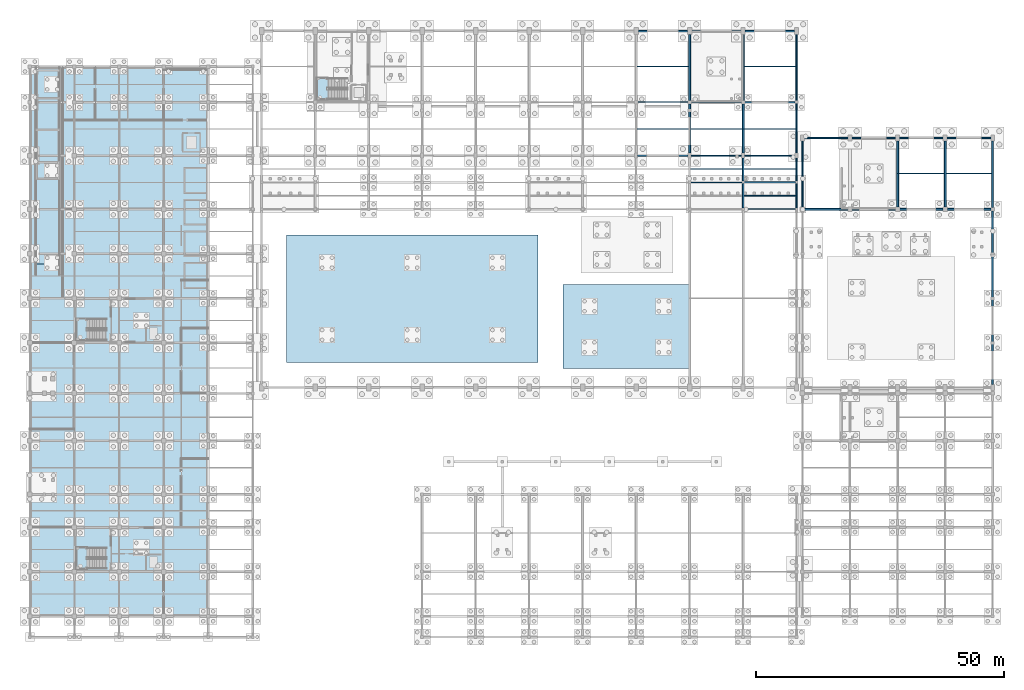
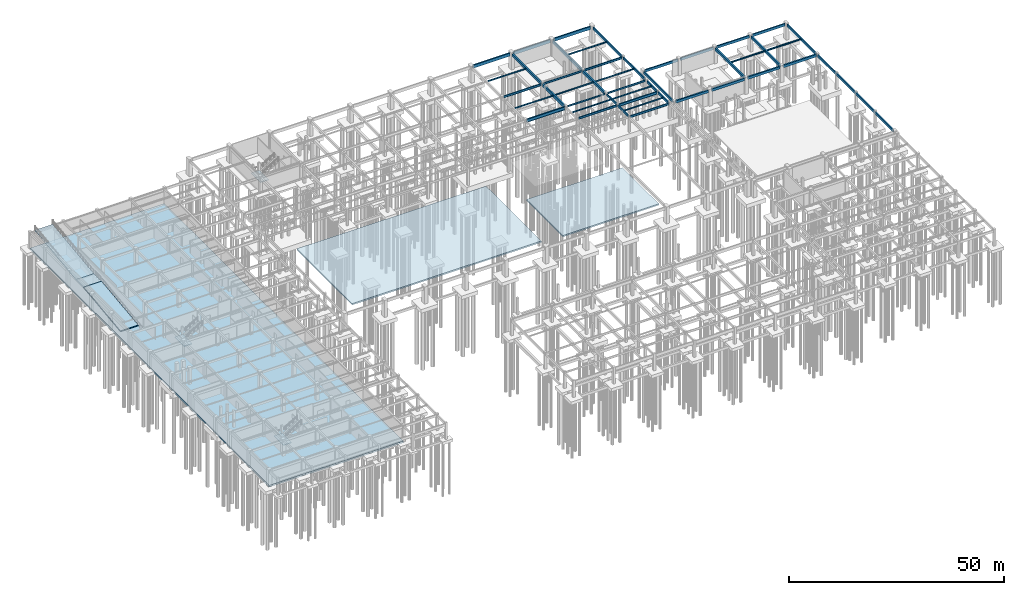
# One storey, part 20 of 33: 45 beams, 9 slabs, 3 elements without a shape of their own.
"""IFC4 building model written with IfcOpenShell, lengths in metres."""

from ifc_helpers import new_model, si_unit, direction, frame, origin, origin_2d, place, context, subcontext, project, spatial, polyline, rectangle, i_section, outline, extrude, material, layer, layer_set, material_profile, profile_set, type_object, element, aggregate, save


model = new_model("IFC4")

# Units and contexts
model_context = context("Model", 3, precision=1e-05, world=origin(), true_north=direction((0.0, 1.0)))
body_context = subcontext(model_context, "Body", "Model", "MODEL_VIEW")
ifc_project = project(units=[si_unit("LENGTHUNIT", "METRE"), si_unit("AREAUNIT", "SQUARE_METRE"), si_unit("VOLUMEUNIT", "CUBIC_METRE"), si_unit("PLANEANGLEUNIT", "RADIAN"), si_unit("MASSUNIT", "GRAM", prefix="KILO")], contexts=[model_context])

# Site, building, storey
site_placement = place(None, origin())
site = spatial("IfcSite", under=ifc_project, at=site_placement, CompositionType="ELEMENT")
building_placement = place(site_placement, origin())
building = spatial("IfcBuilding", under=site, at=building_placement, Name="Suirenkawa Promenade Aquatics Centre", CompositionType="ELEMENT")
storey_placement = place(building_placement, frame((0.0, 0.0, -4.800048828125)))
storey = spatial("IfcBuildingStorey", under=building, at=storey_placement, Name="B1", CompositionType="ELEMENT", Elevation=-4.800048828125)

# Beams
ifc_material_1 = material(Name="Steel IS 2062 E350 (Grade 350)", Category="steel")
ifc_material_profile_1 = material_profile(ifc_material_1, i_section(OverallWidth=0.139892578125, OverallDepth=0.35009765625, WebThickness=0.008056640625, FlangeThickness=0.013916015625, at=origin_2d()), Name="ISMB 350", Category="steel")
ifc_profile_set_1 = profile_set([ifc_material_profile_1], Name="Steel IS 2062 E350 (Grade 350)")
beam_type_1 = type_object("IfcBeamType", Name="BT-JOIST-ISMB350", PredefinedType="JOIST", material=ifc_profile_set_1)
beam_1_placement = place(storey_placement, frame((175.39404296875, 93.60009765625, 4.322998046875), z_axis=(1.0, 0.0, 0.0), x_axis=(0.0, 1.0, 0.0)))
element("IfcBeam", 1, at=beam_1_placement, inside=storey, type_object=beam_type_1, Name="Secondary floor joist JS-03 BM-1391", PredefinedType="JOIST", context=body_context, shape_type="SweptSolid", body=[
    extrude(i_section(OverallWidth=0.139892578125, OverallDepth=0.35009765625, WebThickness=0.008056640625, FlangeThickness=0.013916015625, at=origin_2d()), origin(), (0.0, 0.0, 1.0), 9.2119140625),
])
beam_2_placement = place(storey_placement, frame((184.993896484375, 93.60009765625, 4.322998046875), z_axis=(1.0, 0.0, 0.0), x_axis=(0.0, 1.0, 0.0)))
element("IfcBeam", 2, at=beam_2_placement, inside=storey, type_object=beam_type_1, Name="Secondary floor joist JS-03 BM-1392", PredefinedType="JOIST", context=body_context, shape_type="SweptSolid", body=[
    extrude(i_section(OverallWidth=0.139892578125, OverallDepth=0.35009765625, WebThickness=0.008056640625, FlangeThickness=0.013916015625, at=origin_2d()), origin(), (0.0, 0.0, 1.0), 9.26220703125),
])
ifc_material_profile_2 = material_profile(ifc_material_1, i_section(OverallWidth=0.139892578125, OverallDepth=0.39990234375, WebThickness=0.009033203125, FlangeThickness=0.01611328125, at=origin_2d()), Name="ISMB 400", Category="steel")
ifc_profile_set_2 = profile_set([ifc_material_profile_2], Name="Steel IS 2062 E350 (Grade 350)")
beam_type_2 = type_object("IfcBeamType", Name="BT-JOIST-ISMB400", PredefinedType="JOIST", material=ifc_profile_set_2)
for number, where, z_axis, x_axis, name in (
    (3, (122.593994140625, 102.60009765625, 4.298095703125), (1.0, 0.0, 0.0), (0.0, 1.0, 0.0), "Secondary floor joist JS-04 BM-1045"),
    (4, (122.593994140625, 115.199951171875, 4.298095703125), (1.0, 0.0, 0.0), (0.0, 1.0, 0.0), "Secondary floor joist JS-04 BM-1046"),
):
    element("IfcBeam", number, at=place(storey_placement, frame(where, z_axis=z_axis, x_axis=x_axis)), inside=storey, type_object=beam_type_2, Name=name, PredefinedType="JOIST", context=body_context, shape_type="SweptSolid", body=[
        extrude(i_section(OverallWidth=0.139892578125, OverallDepth=0.39990234375, WebThickness=0.009033203125, FlangeThickness=0.01611328125, at=origin_2d()), origin(), (0.0, 0.0, 1.0), 10.412109375),
    ])
beam_3_placement = place(storey_placement, frame((133.343994140625, 94.5, 4.298095703125), z_axis=(1.0, 0.0, 0.0), x_axis=(0.0, 1.0, 0.0)))
element("IfcBeam", 5, at=beam_3_placement, inside=storey, type_object=beam_type_2, Name="Secondary floor joist JS-04 BM-1049", PredefinedType="JOIST", context=body_context, shape_type="SweptSolid", body=[
    extrude(i_section(OverallWidth=0.139892578125, OverallDepth=0.39990234375, WebThickness=0.009033203125, FlangeThickness=0.01611328125, at=origin_2d()), origin(), (0.0, 0.0, 1.0), 10.511962890625),
])
beam_4_placement = place(storey_placement, frame((133.39404296875, 102.60009765625, 4.298095703125), z_axis=(1.0, 0.0, 0.0), x_axis=(0.0, 1.0, 0.0)))
element("IfcBeam", 6, at=beam_4_placement, inside=storey, type_object=beam_type_2, Name="Secondary floor joist JS-04 BM-1050", PredefinedType="JOIST", context=body_context, shape_type="SweptSolid", body=[
    extrude(i_section(OverallWidth=0.139892578125, OverallDepth=0.39990234375, WebThickness=0.009033203125, FlangeThickness=0.01611328125, at=origin_2d()), origin(), (0.0, 0.0, 1.0), 10.411865234375),
])
for number, where, z_axis, x_axis, name in (
    (7, (144.14404296875, 89.10009765625, 4.298095703125), (1.0, 0.0, 0.0), (0.0, 1.0, 0.0), "Secondary floor joist JS-04 BM-1052"),
    (8, (144.14404296875, 94.5, 4.298095703125), (1.0, 0.0, 0.0), (0.0, 1.0, 0.0), "Secondary floor joist JS-04 BM-1053"),
):
    element("IfcBeam", number, at=place(storey_placement, frame(where, z_axis=z_axis, x_axis=x_axis)), inside=storey, type_object=beam_type_2, Name=name, PredefinedType="JOIST", context=body_context, shape_type="SweptSolid", body=[
        extrude(i_section(OverallWidth=0.139892578125, OverallDepth=0.39990234375, WebThickness=0.009033203125, FlangeThickness=0.01611328125, at=origin_2d()), origin(), (0.0, 0.0, 1.0), 10.511962890625),
    ])
for number, where, z_axis, x_axis, name in (
    (9, (144.194091796875, 102.60009765625, 4.298095703125), (1.0, 0.0, 0.0), (0.0, 1.0, 0.0), "Secondary floor joist JS-04 BM-1054"),
    (10, (144.194091796875, 115.199951171875, 4.298095703125), (1.0, 0.0, 0.0), (0.0, 1.0, 0.0), "Secondary floor joist JS-04 BM-1055"),
):
    element("IfcBeam", number, at=place(storey_placement, frame(where, z_axis=z_axis, x_axis=x_axis)), inside=storey, type_object=beam_type_2, Name=name, PredefinedType="JOIST", context=body_context, shape_type="SweptSolid", body=[
        extrude(i_section(OverallWidth=0.139892578125, OverallDepth=0.39990234375, WebThickness=0.009033203125, FlangeThickness=0.01611328125, at=origin_2d()), origin(), (0.0, 0.0, 1.0), 10.4619140625),
    ])
ifc_material_2 = material(Name="Concrete M35", Category="concrete")
ifc_material_profile_3 = material_profile(ifc_material_2, rectangle(XDim=0.300048828125, YDim=0.550048828125, at=origin_2d()), Name="RC BM 300x550", Category="concrete")
ifc_profile_set_3 = profile_set([ifc_material_profile_3], Name="Concrete M35")
beam_type_3 = type_object("IfcBeamType", Name="BT-RC-300x550", PredefinedType="BEAM", material=ifc_profile_set_3)
beam_5_placement = place(storey_placement, frame((144.0, 86.64404296875, 4.22509765625), z_axis=(0.0, 1.0, 0.0), x_axis=(-1.0, 0.0, 0.0)))
element("IfcBeam", 11, at=beam_5_placement, inside=storey, type_object=beam_type_3, Name="Floor beam BM-01 BM-1007", PredefinedType="BEAM", context=body_context, shape_type="SweptSolid", body=[
    extrude(rectangle(XDim=0.300048828125, YDim=0.550048828125, at=origin_2d()), origin(), (0.0, 0.0, 1.0), 4.911865234375),
])
beam_6_placement = place(storey_placement, frame((144.0, 92.0439453125, 4.22509765625), z_axis=(0.0, 1.0, 0.0), x_axis=(-1.0, 0.0, 0.0)))
element("IfcBeam", 12, at=beam_6_placement, inside=storey, type_object=beam_type_3, Name="Floor beam BM-01 BM-1008", PredefinedType="BEAM", context=body_context, shape_type="SweptSolid", body=[
    extrude(rectangle(XDim=0.300048828125, YDim=0.550048828125, at=origin_2d()), origin(), (0.0, 0.0, 1.0), 4.662109375),
])
ifc_material_profile_4 = material_profile(ifc_material_2, rectangle(XDim=0.39990234375, YDim=0.699951171875, at=origin_2d()), Name="RC BM 400x700", Category="concrete")
ifc_profile_set_4 = profile_set([ifc_material_profile_4], Name="Concrete M35")
beam_type_4 = type_object("IfcBeamType", Name="BT-RC-400x700", PredefinedType="BEAM", material=ifc_profile_set_4)
beam_7_placement = place(storey_placement, frame((156.444091796875, 86.39990234375, 4.150146484375), z_axis=(1.0, 0.0, 0.0), x_axis=(0.0, 1.0, 0.0)))
element("IfcBeam", 13, at=beam_7_placement, inside=storey, type_object=beam_type_4, Name="Floor beam BM-04 BM-1377", PredefinedType="BEAM", context=body_context, shape_type="SweptSolid", body=[
    extrude(rectangle(XDim=0.39990234375, YDim=0.699951171875, at=origin_2d()), origin(), (0.0, 0.0, 1.0), 8.7119140625),
])
beam_8_placement = place(storey_placement, frame((166.0439453125, 86.39990234375, 4.150146484375), z_axis=(1.0, 0.0, 0.0), x_axis=(0.0, 1.0, 0.0)))
element("IfcBeam", 14, at=beam_8_placement, inside=storey, type_object=beam_type_4, Name="Floor beam BM-04 BM-1378", PredefinedType="BEAM", context=body_context, shape_type="SweptSolid", body=[
    extrude(rectangle(XDim=0.39990234375, YDim=0.699951171875, at=origin_2d()), origin(), (0.0, 0.0, 1.0), 8.712158203125),
])
beam_9_placement = place(storey_placement, frame((175.64404296875, 86.39990234375, 4.150146484375), z_axis=(1.0, 0.0, 0.0), x_axis=(0.0, 1.0, 0.0)))
element("IfcBeam", 15, at=beam_9_placement, inside=storey, type_object=beam_type_4, Name="Floor beam BM-04 BM-1379", PredefinedType="BEAM", context=body_context, shape_type="SweptSolid", body=[
    extrude(rectangle(XDim=0.39990234375, YDim=0.699951171875, at=origin_2d()), origin(), (0.0, 0.0, 1.0), 8.7119140625),
])
beam_10_placement = place(storey_placement, frame((185.243896484375, 86.39990234375, 4.150146484375), z_axis=(1.0, 0.0, 0.0), x_axis=(0.0, 1.0, 0.0)))
element("IfcBeam", 16, at=beam_10_placement, inside=storey, type_object=beam_type_4, Name="Floor beam BM-04 BM-1380", PredefinedType="BEAM", context=body_context, shape_type="SweptSolid", body=[
    extrude(rectangle(XDim=0.39990234375, YDim=0.699951171875, at=origin_2d()), origin(), (0.0, 0.0, 1.0), 8.81201171875),
])
ifc_material_3 = material(Name="Concrete M40", Category="concrete")
ifc_material_profile_5 = material_profile(ifc_material_3, rectangle(XDim=0.39990234375, YDim=0.75, at=origin_2d()), Name="RC BM 400x750", Category="concrete")
ifc_profile_set_5 = profile_set([ifc_material_profile_5], Name="Concrete M40")
beam_type_5 = type_object("IfcBeamType", Name="BT-RC-400x750", PredefinedType="BEAM", material=ifc_profile_set_5)
beam_11_placement = place(storey_placement, frame((133.199951171875, 97.694091796875, 4.125), z_axis=(0.0, 1.0, 0.0), x_axis=(-1.0, 0.0, 0.0)))
element("IfcBeam", 17, at=beam_11_placement, inside=storey, type_object=beam_type_5, Name="Floor beam BM-05 BM-1004", PredefinedType="BEAM", context=body_context, shape_type="SweptSolid", body=[
    extrude(rectangle(XDim=0.39990234375, YDim=0.75, at=origin_2d()), origin(), (0.0, 0.0, 1.0), 9.9619140625),
])
beam_12_placement = place(storey_placement, frame((133.199951171875, 108.343994140625, 4.125), z_axis=(0.0, 1.0, 0.0), x_axis=(-1.0, 0.0, 0.0)))
element("IfcBeam", 18, at=beam_12_placement, inside=storey, type_object=beam_type_5, Name="Floor beam BM-05 BM-1005", PredefinedType="BEAM", context=body_context, shape_type="SweptSolid", body=[
    extrude(rectangle(XDim=0.39990234375, YDim=0.75, at=origin_2d()), origin(), (0.0, 0.0, 1.0), 13.362060546875),
])
beam_13_placement = place(storey_placement, frame((144.0, 97.694091796875, 4.125), z_axis=(0.0, 1.0, 0.0), x_axis=(-1.0, 0.0, 0.0)))
element("IfcBeam", 19, at=beam_13_placement, inside=storey, type_object=beam_type_5, Name="Floor beam BM-05 BM-1009", PredefinedType="BEAM", context=body_context, shape_type="SweptSolid", body=[
    extrude(rectangle(XDim=0.39990234375, YDim=0.75, at=origin_2d()), origin(), (0.0, 0.0, 1.0), 9.9619140625),
])
for number, where, z_axis, x_axis, name in (
    (20, (144.0, 108.343994140625, 4.125), (0.0, 1.0, 0.0), (-1.0, 0.0, 0.0), "Floor beam BM-05 BM-1010"),
    (21, (175.199951171875, 86.843994140625, 4.125), (0.0, 1.0, 0.0), (-1.0, 0.0, 0.0), "Floor beam BM-05 BM-1387"),
    (22, (184.800048828125, 86.843994140625, 4.125), (0.0, 1.0, 0.0), (-1.0, 0.0, 0.0), "Floor beam BM-05 BM-1388"),
):
    element("IfcBeam", number, at=place(storey_placement, frame(where, z_axis=z_axis, x_axis=x_axis)), inside=storey, type_object=beam_type_5, Name=name, PredefinedType="BEAM", context=body_context, shape_type="SweptSolid", body=[
        extrude(rectangle(XDim=0.39990234375, YDim=0.75, at=origin_2d()), origin(), (0.0, 0.0, 1.0), 13.362060546875),
    ])
ifc_material_profile_6 = material_profile(ifc_material_3, rectangle(XDim=0.300048828125, YDim=0.699951171875, at=origin_2d()), Name="RC SPANDREL 300x700", Category="concrete")
ifc_profile_set_6 = profile_set([ifc_material_profile_6], Name="Concrete M40")
beam_type_6 = type_object("IfcBeamType", Name="BT-SPANDREL-300x700", PredefinedType="SPANDREL", material=ifc_profile_set_6)
beam_14_placement = place(storey_placement, frame((154.800048828125, 86.64404296875, 4.150146484375), z_axis=(0.0, 1.0, 0.0), x_axis=(-1.0, 0.0, 0.0)))
element("IfcBeam", 23, at=beam_14_placement, inside=storey, type_object=beam_type_6, Name="Floor beam SP-01 BM-1012", PredefinedType="SPANDREL", context=body_context, shape_type="SweptSolid", body=[
    extrude(rectangle(XDim=0.300048828125, YDim=0.699951171875, at=origin_2d()), origin(), (0.0, 0.0, 1.0), 4.911865234375),
])
beam_15_placement = place(storey_placement, frame((154.800048828125, 92.0439453125, 4.150146484375), z_axis=(0.0, 1.0, 0.0), x_axis=(-1.0, 0.0, 0.0)))
element("IfcBeam", 24, at=beam_15_placement, inside=storey, type_object=beam_type_6, Name="Floor beam SP-01 BM-1013", PredefinedType="SPANDREL", context=body_context, shape_type="SweptSolid", body=[
    extrude(rectangle(XDim=0.300048828125, YDim=0.699951171875, at=origin_2d()), origin(), (0.0, 0.0, 1.0), 4.662109375),
])
beam_16_placement = place(storey_placement, frame((154.800048828125, 97.694091796875, 4.150146484375), z_axis=(0.0, 1.0, 0.0), x_axis=(-1.0, 0.0, 0.0)))
element("IfcBeam", 25, at=beam_16_placement, inside=storey, type_object=beam_type_6, Name="Floor beam SP-01 BM-1014", PredefinedType="SPANDREL", context=body_context, shape_type="SweptSolid", body=[
    extrude(rectangle(XDim=0.300048828125, YDim=0.699951171875, at=origin_2d()), origin(), (0.0, 0.0, 1.0), 10.011962890625),
])
beam_17_placement = place(storey_placement, frame((154.800048828125, 108.2939453125, 4.150146484375), z_axis=(0.0, 1.0, 0.0), x_axis=(-1.0, 0.0, 0.0)))
element("IfcBeam", 26, at=beam_17_placement, inside=storey, type_object=beam_type_6, Name="Floor beam SP-01 BM-1015", PredefinedType="SPANDREL", context=body_context, shape_type="SweptSolid", body=[
    extrude(rectangle(XDim=0.300048828125, YDim=0.699951171875, at=origin_2d()), origin(), (0.0, 0.0, 1.0), 13.412109375),
])
for number, where, z_axis, x_axis, name in (
    (27, (156.368896484375, 100.800048828125, 4.150146484375), (1.0, 0.0, 0.0), (0.0, 1.0, 0.0), "Floor beam SP-01 BM-1381"),
    (28, (165.968994140625, 100.800048828125, 4.150146484375), (1.0, 0.0, 0.0), (0.0, 1.0, 0.0), "Floor beam SP-01 BM-1382"),
):
    element("IfcBeam", number, at=place(storey_placement, frame(where, z_axis=z_axis, x_axis=x_axis)), inside=storey, type_object=beam_type_6, Name=name, PredefinedType="SPANDREL", context=body_context, shape_type="SweptSolid", body=[
        extrude(rectangle(XDim=0.300048828125, YDim=0.699951171875, at=origin_2d()), origin(), (0.0, 0.0, 1.0), 8.862060546875),
    ])
beam_18_placement = place(storey_placement, frame((175.569091796875, 100.800048828125, 4.150146484375), z_axis=(1.0, 0.0, 0.0), x_axis=(0.0, 1.0, 0.0)))
element("IfcBeam", 29, at=beam_18_placement, inside=storey, type_object=beam_type_6, Name="Floor beam SP-01 BM-1383", PredefinedType="SPANDREL", context=body_context, shape_type="SweptSolid", body=[
    extrude(rectangle(XDim=0.300048828125, YDim=0.699951171875, at=origin_2d()), origin(), (0.0, 0.0, 1.0), 8.86181640625),
])
beam_19_placement = place(storey_placement, frame((185.1689453125, 100.800048828125, 4.150146484375), z_axis=(1.0, 0.0, 0.0), x_axis=(0.0, 1.0, 0.0)))
element("IfcBeam", 30, at=beam_19_placement, inside=storey, type_object=beam_type_6, Name="Floor beam SP-01 BM-1384", PredefinedType="SPANDREL", context=body_context, shape_type="SweptSolid", body=[
    extrude(rectangle(XDim=0.300048828125, YDim=0.699951171875, at=origin_2d()), origin(), (0.0, 0.0, 1.0), 8.862060546875),
])
beam_20_placement = place(storey_placement, frame((156.0, 86.843994140625, 4.150146484375), z_axis=(0.0, 1.0, 0.0), x_axis=(-1.0, 0.0, 0.0)))
element("IfcBeam", 31, at=beam_20_placement, inside=storey, type_object=beam_type_6, Name="Floor beam SP-01 BM-1386", PredefinedType="SPANDREL", context=body_context, shape_type="SweptSolid", body=[
    extrude(rectangle(XDim=0.300048828125, YDim=0.699951171875, at=origin_2d()), origin(), (0.0, 0.0, 1.0), 13.362060546875),
])
beam_21_placement = place(storey_placement, frame((194.39990234375, 50.993896484375, 4.150146484375), z_axis=(0.0, 1.0, 0.0), x_axis=(-1.0, 0.0, 0.0)))
element("IfcBeam", 32, at=beam_21_placement, inside=storey, type_object=beam_type_6, Name="Floor beam SP-01 BM-1389", PredefinedType="SPANDREL", context=body_context, shape_type="SweptSolid", body=[
    extrude(rectangle(XDim=0.300048828125, YDim=0.699951171875, at=origin_2d()), origin(), (0.0, 0.0, 1.0), 35.06201171875),
])
beam_22_placement = place(storey_placement, frame((194.39990234375, 86.743896484375, 4.150146484375), z_axis=(0.0, 1.0, 0.0), x_axis=(-1.0, 0.0, 0.0)))
element("IfcBeam", 33, at=beam_22_placement, inside=storey, type_object=beam_type_6, Name="Floor beam SP-01 BM-1390", PredefinedType="SPANDREL", context=body_context, shape_type="SweptSolid", body=[
    extrude(rectangle(XDim=0.300048828125, YDim=0.699951171875, at=origin_2d()), origin(), (0.0, 0.0, 1.0), 13.462158203125),
])
ifc_material_profile_7 = material_profile(ifc_material_3, rectangle(XDim=0.35009765625, YDim=0.85009765625, at=origin_2d()), Name="RC SPANDREL 350x850", Category="concrete")
ifc_profile_set_7 = profile_set([ifc_material_profile_7], Name="Concrete M40")
beam_type_7 = type_object("IfcBeamType", Name="BT-SPANDREL-350x850", PredefinedType="SPANDREL", material=ifc_profile_set_7)
beam_23_placement = place(storey_placement, frame((122.843994140625, 122.39990234375, 4.074951171875), z_axis=(1.0, 0.0, 0.0), x_axis=(0.0, 1.0, 0.0)))
element("IfcBeam", 34, at=beam_23_placement, inside=storey, type_object=beam_type_7, Name="Floor beam SP-02 BM-0965", PredefinedType="SPANDREL", context=body_context, shape_type="SweptSolid", body=[
    extrude(rectangle(XDim=0.35009765625, YDim=0.85009765625, at=origin_2d()), origin(), (0.0, 0.0, 1.0), 9.912109375),
])
for number, where, z_axis, x_axis, name in (
    (35, (133.64404296875, 122.39990234375, 4.074951171875), (1.0, 0.0, 0.0), (0.0, 1.0, 0.0), "Floor beam SP-02 BM-0966"),
    (36, (144.444091796875, 122.39990234375, 4.074951171875), (1.0, 0.0, 0.0), (0.0, 1.0, 0.0), "Floor beam SP-02 BM-0967"),
):
    element("IfcBeam", number, at=place(storey_placement, frame(where, z_axis=z_axis, x_axis=x_axis)), inside=storey, type_object=beam_type_7, Name=name, PredefinedType="SPANDREL", context=body_context, shape_type="SweptSolid", body=[
        extrude(rectangle(XDim=0.35009765625, YDim=0.85009765625, at=origin_2d()), origin(), (0.0, 0.0, 1.0), 9.911865234375),
    ])
ifc_material_profile_8 = material_profile(ifc_material_1, i_section(OverallWidth=0.14990234375, OverallDepth=0.449951171875, WebThickness=0.009033203125, FlangeThickness=0.01708984375, at=origin_2d()), Name="ISMB 450", Category="steel")
ifc_profile_set_8 = profile_set([ifc_material_profile_8], Name="Steel IS 2062 E350 (Grade 350)")
beam_type_8 = type_object("IfcBeamType", Name="BT-STL-ISMB450", PredefinedType="BEAM", material=ifc_profile_set_8)
beam_24_placement = place(storey_placement, frame((133.493896484375, 97.199951171875, 4.275146484375), z_axis=(1.0, 0.0, 0.0), x_axis=(0.0, 1.0, 0.0)))
element("IfcBeam", 37, at=beam_24_placement, inside=storey, type_object=beam_type_8, Name="Floor beam BM-08 BM-0946", PredefinedType="BEAM", context=body_context, shape_type="SweptSolid", body=[
    extrude(i_section(OverallWidth=0.14990234375, OverallDepth=0.449951171875, WebThickness=0.009033203125, FlangeThickness=0.01708984375, at=origin_2d()), origin(), (0.0, 0.0, 1.0), 10.212158203125),
])
ifc_material_profile_9 = material_profile(ifc_material_1, i_section(OverallWidth=0.179931640625, OverallDepth=0.5, WebThickness=0.010009765625, FlangeThickness=0.01708984375, at=origin_2d()), Name="ISMB 500", Category="steel")
ifc_profile_set_9 = profile_set([ifc_material_profile_9], Name="Steel IS 2062 E350 (Grade 350)")
beam_type_9 = type_object("IfcBeamType", Name="BT-STL-ISMB500", PredefinedType="BEAM", material=ifc_profile_set_9)
beam_25_placement = place(storey_placement, frame((144.2939453125, 97.199951171875, 4.25), z_axis=(1.0, 0.0, 0.0), x_axis=(0.0, 1.0, 0.0)))
element("IfcBeam", 38, at=beam_25_placement, inside=storey, type_object=beam_type_9, Name="Floor beam BM-09 BM-0947", PredefinedType="BEAM", context=body_context, shape_type="SweptSolid", body=[
    extrude(i_section(OverallWidth=0.179931640625, OverallDepth=0.5, WebThickness=0.010009765625, FlangeThickness=0.01708984375, at=origin_2d()), origin(), (0.0, 0.0, 1.0), 10.212158203125),
])
ifc_material_profile_10 = material_profile(ifc_material_1, i_section(OverallWidth=0.2099609375, OverallDepth=0.60009765625, WebThickness=0.011962890625, FlangeThickness=0.02099609375, at=origin_2d()), Name="ISMB 600", Category="steel")
ifc_profile_set_10 = profile_set([ifc_material_profile_10], Name="Steel IS 2062 E350 (Grade 350)")
beam_type_10 = type_object("IfcBeamType", Name="BT-STL-ISMB600", PredefinedType="BEAM", material=ifc_profile_set_10)
beam_26_placement = place(storey_placement, frame((144.243896484375, 86.39990234375, 4.199951171875), z_axis=(1.0, 0.0, 0.0), x_axis=(0.0, 1.0, 0.0)))
element("IfcBeam", 39, at=beam_26_placement, inside=storey, type_object=beam_type_10, Name="Floor beam BM-10 BM-0927", PredefinedType="BEAM", context=body_context, shape_type="SweptSolid", body=[
    extrude(i_section(OverallWidth=0.2099609375, OverallDepth=0.60009765625, WebThickness=0.011962890625, FlangeThickness=0.02099609375, at=origin_2d()), origin(), (0.0, 0.0, 1.0), 10.31201171875),
])
beam_27_placement = place(storey_placement, frame((122.743896484375, 108.0, 4.199951171875), z_axis=(1.0, 0.0, 0.0), x_axis=(0.0, 1.0, 0.0)))
element("IfcBeam", 40, at=beam_27_placement, inside=storey, type_object=beam_type_10, Name="Floor beam BM-10 BM-0955", PredefinedType="BEAM", context=body_context, shape_type="SweptSolid", body=[
    extrude(i_section(OverallWidth=0.2099609375, OverallDepth=0.60009765625, WebThickness=0.011962890625, FlangeThickness=0.02099609375, at=origin_2d()), origin(), (0.0, 0.0, 1.0), 10.112060546875),
])
ifc_material_profile_11 = material_profile(ifc_material_1, i_section(OverallWidth=0.25, OverallDepth=0.550048828125, WebThickness=0.010986328125, FlangeThickness=0.01806640625, at=origin_2d()), Name="ISWB 550", Category="steel")
ifc_profile_set_11 = profile_set([ifc_material_profile_11], Name="Steel IS 2062 E350 (Grade 350)")
beam_type_11 = type_object("IfcBeamType", Name="BT-STL-ISWB550", PredefinedType="BEAM", material=ifc_profile_set_11)
beam_28_placement = place(storey_placement, frame((133.5439453125, 108.0, 4.22509765625), z_axis=(1.0, 0.0, 0.0), x_axis=(0.0, 1.0, 0.0)))
element("IfcBeam", 41, at=beam_28_placement, inside=storey, type_object=beam_type_11, Name="Floor beam BM-11 BM-0956", PredefinedType="BEAM", context=body_context, shape_type="SweptSolid", body=[
    extrude(i_section(OverallWidth=0.25, OverallDepth=0.550048828125, WebThickness=0.010986328125, FlangeThickness=0.01806640625, at=origin_2d()), origin(), (0.0, 0.0, 1.0), 10.112060546875),
])
ifc_material_profile_12 = material_profile(ifc_material_1, i_section(OverallWidth=0.25, OverallDepth=0.60009765625, WebThickness=0.011962890625, FlangeThickness=0.02392578125, at=origin_2d()), Name="ISWB 600", Category="steel")
ifc_profile_set_12 = profile_set([ifc_material_profile_12], Name="Steel IS 2062 E350 (Grade 350)")
beam_type_12 = type_object("IfcBeamType", Name="BT-STL-ISWB600", PredefinedType="BEAM", material=ifc_profile_set_12)
beam_29_placement = place(storey_placement, frame((133.444091796875, 91.800048828125, 4.199951171875), z_axis=(1.0, 0.0, 0.0), x_axis=(0.0, 1.0, 0.0)))
element("IfcBeam", 42, at=beam_29_placement, inside=storey, type_object=beam_type_12, Name="Floor beam BM-12 BM-0936", PredefinedType="BEAM", context=body_context, shape_type="SweptSolid", body=[
    extrude(i_section(OverallWidth=0.25, OverallDepth=0.60009765625, WebThickness=0.011962890625, FlangeThickness=0.02392578125, at=origin_2d()), origin(), (0.0, 0.0, 1.0), 10.31201171875),
])
beam_30_placement = place(storey_placement, frame((144.343994140625, 108.0, 4.199951171875), z_axis=(1.0, 0.0, 0.0), x_axis=(0.0, 1.0, 0.0)))
element("IfcBeam", 43, at=beam_30_placement, inside=storey, type_object=beam_type_12, Name="Floor beam BM-12 BM-0957", PredefinedType="BEAM", context=body_context, shape_type="SweptSolid", body=[
    extrude(i_section(OverallWidth=0.25, OverallDepth=0.60009765625, WebThickness=0.011962890625, FlangeThickness=0.02392578125, at=origin_2d()), origin(), (0.0, 0.0, 1.0), 10.162109375),
])
ifc_material_profile_13 = material_profile(ifc_material_1, i_section(OverallWidth=0.300048828125, OverallDepth=0.75, WebThickness=0.013916015625, FlangeThickness=0.02490234375, at=origin_2d()), Name="WPG 750x300", Category="steel")
ifc_profile_set_13 = profile_set([ifc_material_profile_13], Name="Steel IS 2062 E350 (Grade 350)")
beam_type_13 = type_object("IfcBeamType", Name="BT-STL-WPG750", PredefinedType="BEAM", material=ifc_profile_set_13)
beam_31_placement = place(storey_placement, frame((144.243896484375, 91.800048828125, 4.125), z_axis=(1.0, 0.0, 0.0), x_axis=(0.0, 1.0, 0.0)))
element("IfcBeam", 44, at=beam_31_placement, inside=storey, type_object=beam_type_13, Name="Floor beam BM-13 BM-0937", PredefinedType="BEAM", context=body_context, shape_type="SweptSolid", body=[
    extrude(i_section(OverallWidth=0.300048828125, OverallDepth=0.75, WebThickness=0.013916015625, FlangeThickness=0.02490234375, at=origin_2d()), origin(), (0.0, 0.0, 1.0), 10.31201171875),
])
ifc_material_profile_14 = material_profile(ifc_material_1, i_section(OverallWidth=0.35009765625, OverallDepth=0.89990234375, WebThickness=0.01611328125, FlangeThickness=0.031982421875, at=origin_2d()), Name="WPG 900x350", Category="steel")
ifc_profile_set_14 = profile_set([ifc_material_profile_14], Name="Steel IS 2062 E350 (Grade 350)")
beam_type_14 = type_object("IfcBeamType", Name="BT-STL-WPG900", PredefinedType="BEAM", material=ifc_profile_set_14)
beam_32_placement = place(storey_placement, frame((122.694091796875, 97.199951171875, 4.050048828125), z_axis=(1.0, 0.0, 0.0), x_axis=(0.0, 1.0, 0.0)))
element("IfcBeam", 45, at=beam_32_placement, inside=storey, type_object=beam_type_14, Name="Floor beam BM-14 BM-0945", PredefinedType="BEAM", context=body_context, shape_type="SweptSolid", body=[
    extrude(i_section(OverallWidth=0.35009765625, OverallDepth=0.89990234375, WebThickness=0.01611328125, FlangeThickness=0.031982421875, at=origin_2d()), origin(), (0.0, 0.0, 1.0), 10.2119140625),
])

# Slab
ifc_material_4 = material(Name="Waterproof concrete M40", Category="concrete")
ifc_layer_1 = layer(ifc_material_4, 0.39990234375, Name="Waterproof concrete M40", Category="concrete")
ifc_layer_set_1 = layer_set([ifc_layer_1], Name="Waterproof concrete M40")
slab_type_1 = type_object("IfcSlabType", Name="SLT-COMP-400", PredefinedType="BASESLAB", material=ifc_layer_set_1)
slab_1_placement = place(storey_placement, frame((0.0, 0.0, 1.900146484375)))
element("IfcSlab", 46, at=slab_1_placement, inside=storey, type_object=slab_type_1, Name="50m Competition Pool basin slab SL-BASE-03 SL-0007", PredefinedType="BASESLAB", context=body_context, shape_type="SweptSolid", body=[
    extrude(outline(polyline([(51.85009765625, 55.449951171875), (102.570068359375, 55.449951171875), (102.570068359375, 81.14990234375), (51.85009765625, 81.14990234375), (51.85009765625, 55.449951171875)])), origin(), (0.0, 0.0, 1.0), 0.39990234375),
])

# Stair, slab
stair_type = type_object("IfcStairType", Name="STT-CORE-2100-480", PredefinedType="TWO_STRAIGHT_RUN_STAIR", material=ifc_material_3)
stair_1_placement = place(storey_placement, origin())
stair_1 = element("IfcStair", 47, at=stair_1_placement, inside=storey, type_object=stair_type, Name="Protected exit stair STR-01 ST-01", PredefinedType="TWO_STRAIGHT_RUN_STAIR")
ifc_layer_2 = layer(ifc_material_3, 0.169921875, Name="Concrete M40", Category="concrete")
ifc_layer_set_2 = layer_set([ifc_layer_2], Name="Concrete M40")
slab_type_2 = type_object("IfcSlabType", Name="SLT-LANDING-170", PredefinedType="LANDING", material=ifc_layer_set_2)
slab_2_placement = place(storey_placement, frame((0.0, 0.0, 2.219970703125)))
slab_2 = element("IfcSlab", 48, at=slab_2_placement, type_object=slab_type_2, Name="Stair landing SL-LND-01 SL-8001", PredefinedType="LANDING", context=body_context, shape_type="SweptSolid", body=[
    extrude(outline(polyline([(9.360107421875, 13.719970703125), (11.550048828125, 13.719970703125), (11.550048828125, 18.110107421875), (9.360107421875, 18.110107421875), (9.360107421875, 13.719970703125)])), origin(), (0.0, 0.0, 1.0), 0.18017578125),
])
aggregate(stair_1, [slab_2])

stair_2_placement = place(storey_placement, origin())
stair_2 = element("IfcStair", 49, at=stair_2_placement, inside=storey, type_object=stair_type, Name="Protected exit stair STR-01 ST-06", PredefinedType="TWO_STRAIGHT_RUN_STAIR")
slab_3_placement = place(storey_placement, frame((0.0, 0.0, 2.219970703125)))
slab_3 = element("IfcSlab", 50, at=slab_3_placement, type_object=slab_type_2, Name="Stair landing SL-LND-01 SL-8006", PredefinedType="LANDING", context=body_context, shape_type="SweptSolid", body=[
    extrude(outline(polyline([(9.360107421875, 59.919921875), (11.550048828125, 59.919921875), (11.550048828125, 64.31005859375), (9.360107421875, 64.31005859375), (9.360107421875, 59.919921875)])), origin(), (0.0, 0.0, 1.0), 0.18017578125),
])
aggregate(stair_2, [slab_3])

stair_3_placement = place(storey_placement, origin())
stair_3 = element("IfcStair", 51, at=stair_3_placement, inside=storey, type_object=stair_type, Name="Protected exit stair STR-01 ST-11", PredefinedType="TWO_STRAIGHT_RUN_STAIR")
slab_4_placement = place(storey_placement, frame((0.0, 0.0, 2.219970703125)))
slab_4 = element("IfcSlab", 52, at=slab_4_placement, type_object=slab_type_2, Name="Stair landing SL-LND-01 SL-8011", PredefinedType="LANDING", context=body_context, shape_type="SweptSolid", body=[
    extrude(outline(polyline([(57.9599609375, 108.52001953125), (60.14990234375, 108.52001953125), (60.14990234375, 112.909912109375), (57.9599609375, 112.909912109375), (57.9599609375, 108.52001953125)])), origin(), (0.0, 0.0, 1.0), 0.18017578125),
])
aggregate(stair_3, [slab_4])

# Slabs
ifc_layer_3 = layer(ifc_material_4, 0.47998046875, Name="Waterproof concrete M40", Category="concrete")
ifc_layer_set_3 = layer_set([ifc_layer_3], Name="Waterproof concrete M40")
slab_type_3 = type_object("IfcSlabType", Name="SLT-RAFT-480", PredefinedType="BASESLAB", material=ifc_layer_set_3)
slab_5_placement = place(storey_placement, frame((0.0, 0.0, -0.47998046875)))
element("IfcSlab", 53, at=slab_5_placement, inside=storey, type_object=slab_type_3, Name="Basement V5 raft SL-BASE-01 SL-0001", PredefinedType="BASESLAB", context=body_context, shape_type="SweptSolid", body=[
    extrude(outline(polyline([(0.0, 4.199951171875), (36.0, 4.199951171875), (36.0, 115.199951171875), (0.0, 115.199951171875), (0.0, 4.199951171875)])), origin(), (0.0, 0.0, 1.0), 0.47998046875),
])
ifc_layer_4 = layer(ifc_material_4, 0.260009765625, Name="Waterproof concrete M40", Category="concrete")
ifc_layer_set_4 = layer_set([ifc_layer_4], Name="Waterproof concrete M40")
slab_type_4 = type_object("IfcSlabType", Name="SLT-RAMP-260", PredefinedType="FLOOR", material=ifc_layer_set_4)
slab_6_placement = place(storey_placement, frame((1.199951171875, 75.300048828125, 0.26513671875), z_axis=(0.0, -0.12160473178, 0.99257860606), x_axis=(1.0, 0.0, 0.0)))
element("IfcSlab", 54, at=slab_6_placement, inside=storey, type_object=slab_type_4, Name="Vehicle ramp lower structural slab SL-RMP-01 SL-RMP-BOT", PredefinedType="FLOOR", context=body_context, shape_type="SweptSolid", body=[
    extrude(outline(polyline([(0.0, 0.0), (4.800048828125, 0.0), (4.800048828125, 17.227707116815772), (0.0, 17.227707116815772), (0.0, 0.0)])), origin(), (0.0, 0.0, -1.0), 0.260009765625),
])
slab_7_placement = place(storey_placement, frame((1.199951171875, 95.89990234375, 2.360107421875), z_axis=(0.0, -0.124347665342, 0.992238710253), x_axis=(1.0, 0.0, 0.0)))
element("IfcSlab", 55, at=slab_7_placement, inside=storey, type_object=slab_type_4, Name="Vehicle ramp upper structural slab SL-RMP-01 SL-RMP-TOP", PredefinedType="FLOOR", context=body_context, shape_type="SweptSolid", body=[
    extrude(outline(polyline([(0.0, 0.0), (4.800048828125, 0.0), (4.800048828125, 19.299938902301136), (0.0, 19.299938902301136), (0.0, 0.0)])), origin(), (0.0, 0.0, -1.0), 0.260009765625),
])
slab_8_placement = place(storey_placement, frame((0.0, 0.0, 2.10009765625)))
element("IfcSlab", 56, at=slab_8_placement, inside=storey, type_object=slab_type_4, Name="Vehicle ramp mid-landing structural slab", PredefinedType="FLOOR", context=body_context, shape_type="SweptSolid", body=[
    extrude(outline(polyline([(1.199951171875, 92.39990234375), (6.0, 92.39990234375), (6.0, 95.89990234375), (1.199951171875, 95.89990234375), (1.199951171875, 92.39990234375)])), origin(), (0.0, 0.0, 1.0), 0.260009765625),
])
ifc_layer_5 = layer(ifc_material_4, 0.3798828125, Name="Waterproof concrete M40", Category="concrete")
ifc_layer_set_5 = layer_set([ifc_layer_5], Name="Waterproof concrete M40")
slab_type_5 = type_object("IfcSlabType", Name="SLT-TRAIN-380", PredefinedType="BASESLAB", material=ifc_layer_set_5)
slab_9_placement = place(storey_placement, frame((0.0, 0.0, 2.420166015625)))
element("IfcSlab", 57, at=slab_9_placement, inside=storey, type_object=slab_type_5, Name="25m Training and Warm-Up Pool basin slab SL-BASE-04 SL-0008", PredefinedType="BASESLAB", context=body_context, shape_type="SweptSolid", body=[
    extrude(outline(polyline([(107.64990234375, 54.25), (133.3701171875, 54.25), (133.3701171875, 71.14990234375), (107.64990234375, 71.14990234375), (107.64990234375, 54.25)])), origin(), (0.0, 0.0, 1.0), 0.3798828125),
])

save(model, "model.ifc")
